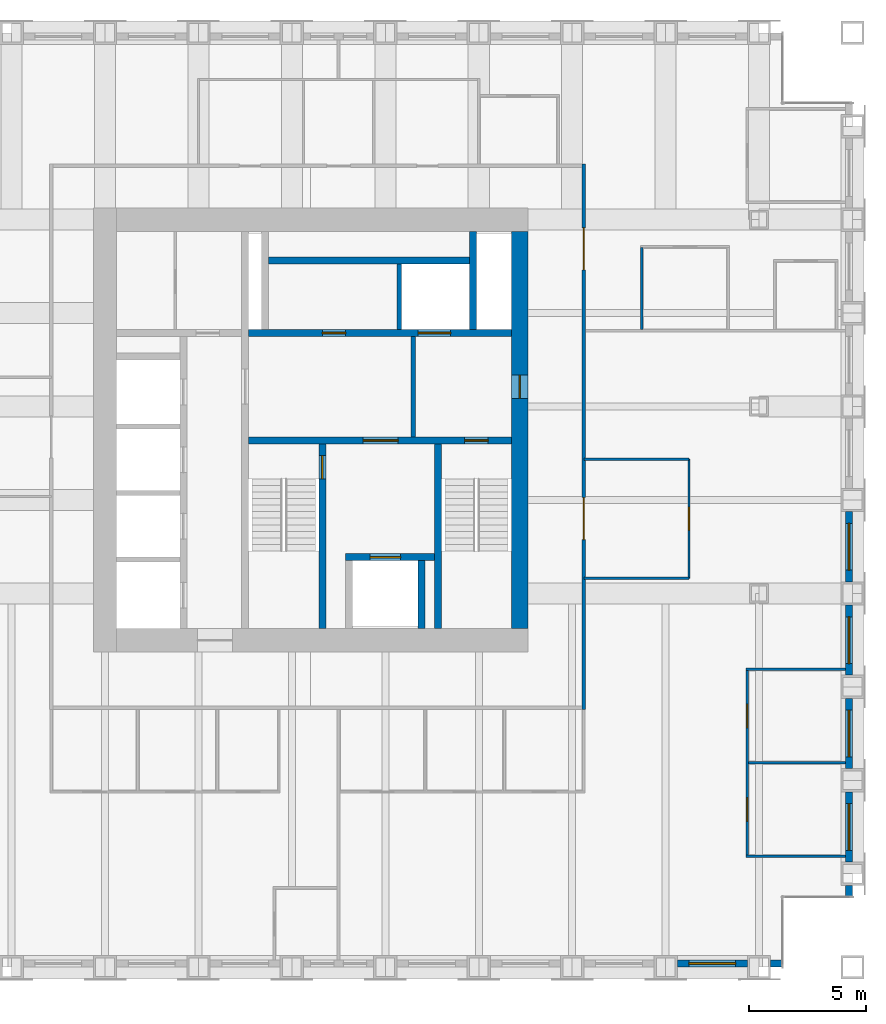
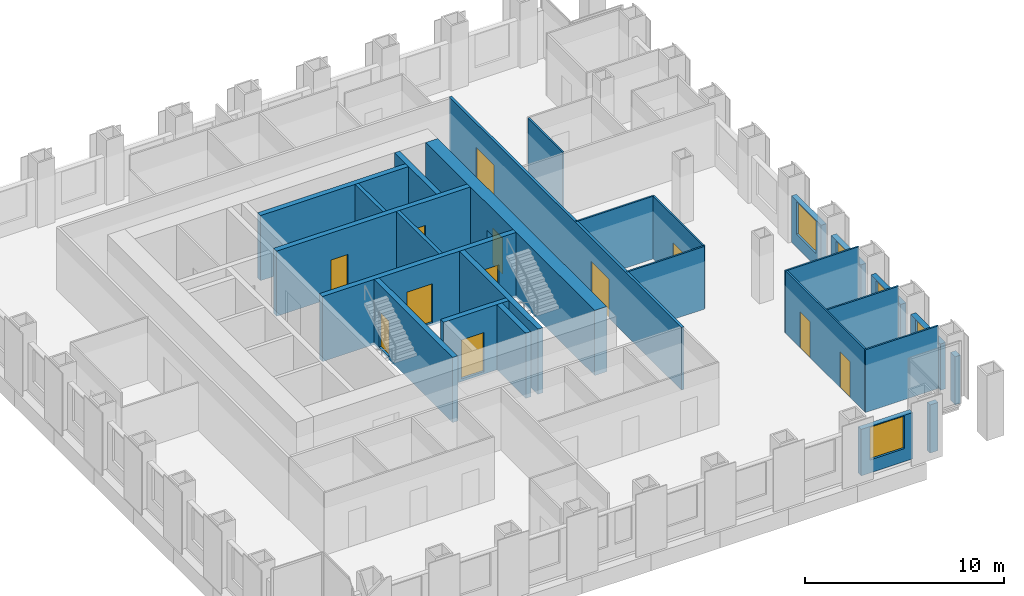
# One storey, part 9 of 13: 27 walls, 12 doors, 5 windows, 17 openings.
"""IFC4 building model written with IfcOpenShell, lengths in metres."""

from ifc_helpers import new_model, si_unit, direction, frame, frame_2d, origin, place, context, subcontext, project, spatial, rectangle, extrude, material, layer, layer_set, type_object, element, fill, save


model = new_model("IFC4")

# Units and contexts
model_context = context("Model", 3, precision=1e-05, world=origin(), true_north=direction((0.0, 1.0)))
body_context = subcontext(model_context, "Body", "Model", "MODEL_VIEW")
ifc_project = project(units=[si_unit("LENGTHUNIT", "METRE"), si_unit("AREAUNIT", "SQUARE_METRE"), si_unit("VOLUMEUNIT", "CUBIC_METRE"), si_unit("PLANEANGLEUNIT", "RADIAN"), si_unit("MASSUNIT", "GRAM", prefix="KILO")], contexts=[model_context])

# Site, building, storey
site_placement = place(None, origin())
site = spatial("IfcSite", under=ifc_project, at=site_placement, CompositionType="ELEMENT")
building_placement = place(site_placement, origin())
building = spatial("IfcBuilding", under=site, at=building_placement, Name="Rimbunsela Tower", CompositionType="ELEMENT")
storey_placement = place(building_placement, frame((0.0, 0.0, 258.199951171875)))
storey = spatial("IfcBuildingStorey", under=building, at=storey_placement, Name="L62", CompositionType="ELEMENT", Elevation=258.199951171875)

# Wall, openings, doors
ifc_material_1 = material(Name="Concrete fc' 80 MPa", Category="concrete")
ifc_layer_1 = layer(ifc_material_1, 0.300048828125)
ifc_layer_set_1 = layer_set([ifc_layer_1], Name="Core internal wall 300")
wall_type_1 = type_object("IfcWallType", Name="Core internal wall 300", PredefinedType="SHEAR", material=ifc_layer_set_1)
wall_1_placement = place(storey_placement, frame((24.14990234375, 26.550048828125, -0.14990234375), z_axis=(0.0, 0.0, 1.0), x_axis=(1.0, 0.0, 0.0)))
wall_1 = element("IfcWall", 1, at=wall_1_placement, inside=storey, type_object=wall_type_1, Name="Core wall lobby south", PredefinedType="SHEAR", context=body_context, shape_type="SweptSolid", body=[
    extrude(rectangle(XDim=11.25, YDim=0.300048828125, at=frame_2d((5.625, 0.0))), origin(), (0.0, 0.0, 1.0), 4.0),
])
opening_1_placement = place(wall_1_placement, frame((9.25, 0.0, 0.14990234375)))
opening_1 = element("IfcOpeningElement", 2, at=opening_1_placement, cuts=wall_1, Name="Opening D01", PredefinedType="OPENING", context=body_context, shape_type="SweptSolid", body=[
    extrude(rectangle(XDim=1.0, YDim=2.199951171875, at=frame_2d((0.5, 1.10009765625))), frame((0.0, 0.159912109375, 0.0), z_axis=(0.0, -1.0, 0.0), x_axis=(1.0, 0.0, 0.0)), (0.0, 0.0, 1.0), 0.320068359375),
])
opening_2_placement = place(wall_1_placement, frame((4.89990234375, 0.0, 0.14990234375)))
opening_2 = element("IfcOpeningElement", 3, at=opening_2_placement, cuts=wall_1, Name="Opening D03", PredefinedType="OPENING", context=body_context, shape_type="SweptSolid", body=[
    extrude(rectangle(XDim=1.5, YDim=2.39990234375, at=frame_2d((0.75, 1.199951171875))), frame((0.0, 0.159912109375, 0.0), z_axis=(0.0, -1.0, 0.0), x_axis=(1.0, 0.0, 0.0)), (0.0, 0.0, 1.0), 0.320068359375),
])
ifc_material_2 = material(Name="Steel door, fire rated", Category="steel")
door_type_1 = type_object("IfcDoorType", Name="Core lobby door 1500", OperationType="DOUBLE_DOOR_DOUBLE_SWING", PredefinedType="DOOR", material=ifc_material_2)
door_1_placement = place(opening_2_placement, origin())
door_1 = element("IfcDoor", 4, at=door_1_placement, inside=storey, type_object=door_type_1, Name="Firefighting lobby door", OperationType="DOUBLE_DOOR_DOUBLE_SWING", OverallHeight=2.39990234375, OverallWidth=1.5, PredefinedType="DOOR", context=body_context, shape_type="SweptSolid", body=[
    extrude(rectangle(XDim=1.5, YDim=2.39990234375, at=frame_2d((0.75, 1.199951171875))), frame((0.0, 0.02490234375, 0.0), z_axis=(0.0, -1.0, 0.0), x_axis=(1.0, 0.0, 0.0)), (0.0, 0.0, 1.0), 0.050048828125),
])
fill(opening_2, door_1)
ifc_material_3 = material(Name="Steel door, fire rated", Category="steel")
door_type_2 = type_object("IfcDoorType", Name="Stair door 1000", OperationType="SINGLE_SWING_RIGHT", PredefinedType="DOOR", material=ifc_material_3)
door_2_placement = place(opening_1_placement, frame((1.0, 0.0, 0.0), z_axis=(0.0, 0.0, 1.0), x_axis=(-1.0, 0.0, 0.0)))
door_2 = element("IfcDoor", 5, at=door_2_placement, inside=storey, type_object=door_type_2, Name="Stair B door", OperationType="SINGLE_SWING_RIGHT", OverallHeight=2.199951171875, OverallWidth=1.0, PredefinedType="DOOR", context=body_context, shape_type="SweptSolid", body=[
    extrude(rectangle(XDim=1.0, YDim=2.199951171875, at=frame_2d((0.5, 1.10009765625))), frame((0.0, 0.02490234375, 0.0), z_axis=(0.0, -1.0, 0.0), x_axis=(1.0, 0.0, 0.0)), (0.0, 0.0, 1.0), 0.050048828125),
])
fill(opening_1, door_2)

# Wall, opening, door
wall_2_placement = place(storey_placement, frame((27.300048828125, 18.5, -0.14990234375), z_axis=(0.0, 0.0, 1.0), x_axis=(0.0, 1.0, 0.0)))
wall_2 = element("IfcWall", 6, at=wall_2_placement, inside=storey, type_object=wall_type_1, Name="Stair A enclosure", PredefinedType="SHEAR", context=body_context, shape_type="SweptSolid", body=[
    extrude(rectangle(XDim=7.89990234375, YDim=0.300048828125, at=frame_2d((3.949951171875, 0.0))), origin(), (0.0, 0.0, 1.0), 4.0),
])
opening_3_placement = place(wall_2_placement, frame((6.39990234375, 0.0, 0.14990234375)))
opening_3 = element("IfcOpeningElement", 7, at=opening_3_placement, cuts=wall_2, Name="Opening D01", PredefinedType="OPENING", context=body_context, shape_type="SweptSolid", body=[
    extrude(rectangle(XDim=1.0, YDim=2.199951171875, at=frame_2d((0.5, 1.10009765625))), frame((0.0, 0.159912109375, 0.0), z_axis=(0.0, -1.0, 0.0), x_axis=(1.0, 0.0, 0.0)), (0.0, 0.0, 1.0), 0.320068359375),
])
door_3_placement = place(opening_3_placement, origin())
door_3 = element("IfcDoor", 8, at=door_3_placement, inside=storey, type_object=door_type_2, Name="Stair A door", OperationType="SINGLE_SWING_RIGHT", OverallHeight=2.199951171875, OverallWidth=1.0, PredefinedType="DOOR", context=body_context, shape_type="SweptSolid", body=[
    extrude(rectangle(XDim=1.0, YDim=2.199951171875, at=frame_2d((0.5, 1.10009765625))), frame((0.0, 0.02490234375, 0.0), z_axis=(0.0, -1.0, 0.0), x_axis=(1.0, 0.0, 0.0)), (0.0, 0.0, 1.0), 0.050048828125),
])
fill(opening_3, door_3)

# Walls
wall_3_placement = place(storey_placement, frame((32.25, 18.5, -0.14990234375), z_axis=(0.0, 0.0, 1.0), x_axis=(0.0, 1.0, 0.0)))
element("IfcWall", 9, at=wall_3_placement, inside=storey, type_object=wall_type_1, Name="Stair B enclosure", PredefinedType="SHEAR", context=body_context, shape_type="SweptSolid", body=[
    extrude(rectangle(XDim=7.89990234375, YDim=0.300048828125, at=frame_2d((3.949951171875, 0.0))), origin(), (0.0, 0.0, 1.0), 4.0),
])
wall_4_placement = place(storey_placement, frame((31.550048828125, 18.5, -0.14990234375), z_axis=(0.0, 0.0, 1.0), x_axis=(0.0, 1.0, 0.0)))
element("IfcWall", 10, at=wall_4_placement, inside=storey, type_object=wall_type_1, Name="Firefighting lift shaft east", PredefinedType="SHEAR", context=body_context, shape_type="SweptSolid", body=[
    extrude(rectangle(XDim=2.89990234375, YDim=0.300048828125, at=frame_2d((1.449951171875, 0.0))), origin(), (0.0, 0.0, 1.0), 4.0),
])

# Wall, opening, door
wall_5_placement = place(storey_placement, frame((28.300048828125, 21.550048828125, -0.14990234375), z_axis=(0.0, 0.0, 1.0), x_axis=(1.0, 0.0, 0.0)))
wall_5 = element("IfcWall", 11, at=wall_5_placement, inside=storey, type_object=wall_type_1, Name="Firefighting lift shaft front", PredefinedType="SHEAR", context=body_context, shape_type="SweptSolid", body=[
    extrude(rectangle(XDim=3.800048828125, YDim=0.300048828125, at=frame_2d((1.89990234375, 0.0))), origin(), (0.0, 0.0, 1.0), 4.0),
])
opening_4_placement = place(wall_5_placement, frame((1.050048828125, 0.0, 0.14990234375)))
opening_4 = element("IfcOpeningElement", 12, at=opening_4_placement, cuts=wall_5, Name="Opening LD2", PredefinedType="OPENING", context=body_context, shape_type="SweptSolid", body=[
    extrude(rectangle(XDim=1.300048828125, YDim=2.39990234375, at=frame_2d((0.64990234375, 1.199951171875))), frame((0.0, 0.159912109375, 0.0), z_axis=(0.0, -1.0, 0.0), x_axis=(1.0, 0.0, 0.0)), (0.0, 0.0, 1.0), 0.320068359375),
])
ifc_material_4 = material(Name="Steel door, fire rated", Category="steel")
door_type_3 = type_object("IfcDoorType", Name="Lift landing door 1300", OperationType="DOUBLE_DOOR_SLIDING", PredefinedType="DOOR", material=ifc_material_4)
door_4_placement = place(opening_4_placement, origin())
door_4 = element("IfcDoor", 13, at=door_4_placement, inside=storey, type_object=door_type_3, Name="Lift landing door FL1", OperationType="DOUBLE_DOOR_SLIDING", OverallHeight=2.39990234375, OverallWidth=1.300048828125, PredefinedType="DOOR", context=body_context, shape_type="SweptSolid", body=[
    extrude(rectangle(XDim=1.300048828125, YDim=2.39990234375, at=frame_2d((0.64990234375, 1.199951171875))), frame((0.0, 0.02490234375, 0.0), z_axis=(0.0, -1.0, 0.0), x_axis=(1.0, 0.0, 0.0)), (0.0, 0.0, 1.0), 0.050048828125),
])
fill(opening_4, door_4)

# Wall, openings, doors
wall_6_placement = place(storey_placement, frame((24.14990234375, 31.14990234375, -0.14990234375), z_axis=(0.0, 0.0, 1.0), x_axis=(1.0, 0.0, 0.0)))
wall_6 = element("IfcWall", 14, at=wall_6_placement, inside=storey, type_object=wall_type_1, Name="Lift shaft front north", PredefinedType="SHEAR", context=body_context, shape_type="SweptSolid", body=[
    extrude(rectangle(XDim=11.25, YDim=0.300048828125, at=frame_2d((5.625, 0.0))), origin(), (0.0, 0.0, 1.0), 4.0),
])
opening_5_placement = place(wall_6_placement, frame((3.14990234375, 0.0, 0.14990234375)))
opening_5 = element("IfcOpeningElement", 15, at=opening_5_placement, cuts=wall_6, Name="Opening D19", PredefinedType="OPENING", context=body_context, shape_type="SweptSolid", body=[
    extrude(rectangle(XDim=1.0, YDim=2.199951171875, at=frame_2d((0.5, 1.10009765625))), frame((0.0, 0.159912109375, 0.0), z_axis=(0.0, -1.0, 0.0), x_axis=(1.0, 0.0, 0.0)), (0.0, 0.0, 1.0), 0.320068359375),
])
opening_6_placement = place(wall_6_placement, frame((7.25, 0.0, 0.14990234375)))
opening_6 = element("IfcOpeningElement", 16, at=opening_6_placement, cuts=wall_6, Name="Opening LD3", PredefinedType="OPENING", context=body_context, shape_type="SweptSolid", body=[
    extrude(rectangle(XDim=1.39990234375, YDim=2.39990234375, at=frame_2d((0.699951171875, 1.199951171875))), frame((0.0, 0.159912109375, 0.0), z_axis=(0.0, -1.0, 0.0), x_axis=(1.0, 0.0, 0.0)), (0.0, 0.0, 1.0), 0.320068359375),
])
ifc_material_5 = material(Name="Steel door, fire rated", Category="steel")
door_type_4 = type_object("IfcDoorType", Name="Lift landing door 1400", OperationType="DOUBLE_DOOR_SLIDING", PredefinedType="DOOR", material=ifc_material_5)
door_5_placement = place(opening_6_placement, origin())
door_5 = element("IfcDoor", 17, at=door_5_placement, inside=storey, type_object=door_type_4, Name="Lift landing door FL2", OperationType="DOUBLE_DOOR_SLIDING", OverallHeight=2.39990234375, OverallWidth=1.39990234375, PredefinedType="DOOR", context=body_context, shape_type="SweptSolid", body=[
    extrude(rectangle(XDim=1.39990234375, YDim=2.39990234375, at=frame_2d((0.699951171875, 1.199951171875))), frame((0.0, 0.02490234375, 0.0), z_axis=(0.0, -1.0, 0.0), x_axis=(1.0, 0.0, 0.0)), (0.0, 0.0, 1.0), 0.050048828125),
])
fill(opening_6, door_5)
ifc_material_6 = material(Name="Steel door, fire rated", Category="steel")
door_type_5 = type_object("IfcDoorType", Name="Service door 1000 fire rated", OperationType="SINGLE_SWING_LEFT", PredefinedType="DOOR", material=ifc_material_6)
door_6_placement = place(opening_5_placement, origin())
door_6 = element("IfcDoor", 18, at=door_6_placement, inside=storey, type_object=door_type_5, Name="Equipment store door", OperationType="SINGLE_SWING_LEFT", OverallHeight=2.199951171875, OverallWidth=1.0, PredefinedType="DOOR", context=body_context, shape_type="SweptSolid", body=[
    extrude(rectangle(XDim=1.0, YDim=2.199951171875, at=frame_2d((0.5, 1.10009765625))), frame((0.0, 0.02490234375, 0.0), z_axis=(0.0, -1.0, 0.0), x_axis=(1.0, 0.0, 0.0)), (0.0, 0.0, 1.0), 0.050048828125),
])
fill(opening_5, door_6)

# Walls
wall_7_placement = place(storey_placement, frame((33.75, 31.300048828125, -0.14990234375), z_axis=(0.0, 0.0, 1.0), x_axis=(0.0, 1.0, 0.0)))
element("IfcWall", 19, at=wall_7_placement, inside=storey, type_object=wall_type_1, Name="Riser wall", PredefinedType="SHEAR", context=body_context, shape_type="SweptSolid", body=[
    extrude(rectangle(XDim=4.199951171875, YDim=0.300048828125, at=frame_2d((2.10009765625, 0.0))), origin(), (0.0, 0.0, 1.0), 4.0),
])
wall_8_placement = place(storey_placement, frame((25.0, 34.25, -0.14990234375), z_axis=(0.0, 0.0, 1.0), x_axis=(1.0, 0.0, 0.0)))
element("IfcWall", 20, at=wall_8_placement, inside=storey, type_object=wall_type_1, Name="Lift shaft rear north", PredefinedType="SHEAR", context=body_context, shape_type="SweptSolid", body=[
    extrude(rectangle(XDim=8.60009765625, YDim=0.300048828125, at=frame_2d((4.300048828125, 0.0))), origin(), (0.0, 0.0, 1.0), 4.0),
])

# Wall, opening, door
ifc_material_7 = material(Name="Concrete fc' 80 MPa", Category="concrete")
ifc_layer_2 = layer(ifc_material_7, 0.699951171875)
ifc_layer_set_2 = layer_set([ifc_layer_2], Name="Core wall 700 east")
wall_type_2 = type_object("IfcWallType", Name="Core wall 700 east", PredefinedType="SHEAR", material=ifc_layer_set_2)
wall_9_placement = place(storey_placement, frame((35.75, 18.5, -0.14990234375), z_axis=(0.0, 0.0, 1.0), x_axis=(0.0, 1.0, 0.0)))
wall_9 = element("IfcWall", 21, at=wall_9_placement, inside=storey, type_object=wall_type_2, Name="Core wall east", PredefinedType="SHEAR", context=body_context, shape_type="SweptSolid", body=[
    extrude(rectangle(XDim=17.0, YDim=0.699951171875, at=frame_2d((8.5, 0.0))), origin(), (0.0, 0.0, 1.0), 4.0),
])
opening_7_placement = place(wall_9_placement, frame((9.85009765625, 0.0, 0.14990234375)))
opening_7 = element("IfcOpeningElement", 22, at=opening_7_placement, cuts=wall_9, Name="Opening D01", PredefinedType="OPENING", context=body_context, shape_type="SweptSolid", body=[
    extrude(rectangle(XDim=1.0, YDim=2.199951171875, at=frame_2d((0.5, 1.10009765625))), frame((0.0, 0.35986328125, 0.0), z_axis=(0.0, -1.0, 0.0), x_axis=(1.0, 0.0, 0.0)), (0.0, 0.0, 1.0), 0.719970703125),
])
door_7_placement = place(opening_7_placement, origin())
door_7 = element("IfcDoor", 23, at=door_7_placement, inside=storey, type_object=door_type_2, Name="Firefighting lobby 2 door", OperationType="SINGLE_SWING_RIGHT", OverallHeight=2.199951171875, OverallWidth=1.0, PredefinedType="DOOR", context=body_context, shape_type="SweptSolid", body=[
    extrude(rectangle(XDim=1.0, YDim=2.199951171875, at=frame_2d((0.5, 1.10009765625))), frame((0.0, 0.02490234375, 0.0), z_axis=(0.0, -1.0, 0.0), x_axis=(1.0, 0.0, 0.0)), (0.0, 0.0, 1.0), 0.050048828125),
])
fill(opening_7, door_7)

# Walls
ifc_material_8 = material(Name="Concrete blockwork", Category="masonry")
ifc_layer_3 = layer(ifc_material_8, 0.199951171875)
ifc_layer_set_3 = layer_set([ifc_layer_3], Name="Lift shaft wall 200")
wall_type_3 = type_object("IfcWallType", Name="Lift shaft wall 200", PredefinedType="SOLIDWALL", material=ifc_layer_set_3)
wall_10_placement = place(storey_placement, frame((30.60009765625, 31.300048828125, -0.14990234375), z_axis=(0.0, 0.0, 1.0), x_axis=(0.0, 1.0, 0.0)))
element("IfcWall", 24, at=wall_10_placement, inside=storey, type_object=wall_type_3, Name="Lift shaft separation", PredefinedType="SOLIDWALL", context=body_context, shape_type="SweptSolid", body=[
    extrude(rectangle(XDim=2.800048828125, YDim=0.199951171875, at=frame_2d((1.39990234375, 0.0))), origin(), (0.0, 0.0, 1.0), 4.0),
])
wall_11_placement = place(storey_placement, frame((31.199951171875, 26.699951171875, 0.0), z_axis=(0.0, 0.0, 1.0), x_axis=(0.0, 1.0, 0.0)))
element("IfcWall", 25, at=wall_11_placement, inside=storey, type_object=wall_type_3, Name="Firefighting lobby 2 wall", PredefinedType="SOLIDWALL", context=body_context, shape_type="SweptSolid", body=[
    extrude(rectangle(XDim=4.300048828125, YDim=0.199951171875, at=frame_2d((2.14990234375, 0.0))), origin(), (0.0, 0.0, 1.0), 3.85009765625),
])
ifc_material_9 = material(Name="Gypsum board on steel studs", Category="steel")
ifc_layer_4 = layer(ifc_material_9, 0.10009765625)
ifc_layer_set_4 = layer_set([ifc_layer_4], Name="Office partition 100")
wall_type_4 = type_object("IfcWallType", Name="Office partition 100", PredefinedType="PARTITIONING", material=ifc_layer_set_4)
wall_12_placement = place(storey_placement, frame((45.449951171875, 8.75, 0.0), z_axis=(0.0, 0.0, 1.0), x_axis=(1.0, 0.0, 0.0)))
element("IfcWall", 26, at=wall_12_placement, inside=storey, type_object=wall_type_4, Name="Office partition", PredefinedType="PARTITIONING", context=body_context, shape_type="SweptSolid", body=[
    extrude(rectangle(XDim=4.25, YDim=0.10009765625, at=frame_2d((2.125, 0.0))), origin(), (0.0, 0.0, 1.0), 3.85009765625),
])
wall_13_placement = place(storey_placement, frame((45.550048828125, 12.75, 0.0), z_axis=(0.0, 0.0, 1.0), x_axis=(1.0, 0.0, 0.0)))
element("IfcWall", 27, at=wall_13_placement, inside=storey, type_object=wall_type_4, Name="Office partition", PredefinedType="PARTITIONING", context=body_context, shape_type="SweptSolid", body=[
    extrude(rectangle(XDim=4.14990234375, YDim=0.10009765625, at=frame_2d((2.074951171875, 0.0))), origin(), (0.0, 0.0, 1.0), 3.85009765625),
])
wall_14_placement = place(storey_placement, frame((45.449951171875, 16.75, 0.0), z_axis=(0.0, 0.0, 1.0), x_axis=(1.0, 0.0, 0.0)))
element("IfcWall", 28, at=wall_14_placement, inside=storey, type_object=wall_type_4, Name="Office partition", PredefinedType="PARTITIONING", context=body_context, shape_type="SweptSolid", body=[
    extrude(rectangle(XDim=4.25, YDim=0.10009765625, at=frame_2d((2.125, 0.0))), origin(), (0.0, 0.0, 1.0), 3.85009765625),
])
wall_15_placement = place(storey_placement, frame((40.97509765625, 31.31005859375, 0.0), z_axis=(0.0, 0.0, 1.0), x_axis=(0.0, 1.0, 0.0)))
element("IfcWall", 29, at=wall_15_placement, inside=storey, type_object=wall_type_4, Name="Office partition", PredefinedType="PARTITIONING", context=body_context, shape_type="SweptSolid", body=[
    extrude(rectangle(XDim=3.489990234375, YDim=0.10009765625, at=frame_2d((1.7451171875, 0.0))), origin(), (0.0, 0.0, 1.0), 3.85009765625),
])

# Wall, openings, doors
wall_16_placement = place(storey_placement, frame((45.5, 8.800048828125, 0.0), z_axis=(0.0, 0.0, 1.0), x_axis=(0.0, 1.0, 0.0)))
wall_16 = element("IfcWall", 30, at=wall_16_placement, inside=storey, type_object=wall_type_4, Name="Office partition", PredefinedType="PARTITIONING", context=body_context, shape_type="SweptSolid", body=[
    extrude(rectangle(XDim=7.89990234375, YDim=0.10009765625, at=frame_2d((3.949951171875, 0.0))), origin(), (0.0, 0.0, 1.0), 3.85009765625),
])
opening_8_placement = place(wall_16_placement, frame((1.449951171875, 0.0, 0.0)))
opening_8 = element("IfcOpeningElement", 31, at=opening_8_placement, cuts=wall_16, Name="Opening D16", PredefinedType="OPENING", context=body_context, shape_type="SweptSolid", body=[
    extrude(rectangle(XDim=1.0, YDim=2.199951171875, at=frame_2d((0.5, 1.10009765625))), frame((0.0, 0.06005859375, 0.0), z_axis=(0.0, -1.0, 0.0), x_axis=(1.0, 0.0, 0.0)), (0.0, 0.0, 1.0), 0.1201171875),
])
opening_9_placement = place(wall_16_placement, frame((5.449951171875, 0.0, 0.0)))
opening_9 = element("IfcOpeningElement", 32, at=opening_9_placement, cuts=wall_16, Name="Opening D16", PredefinedType="OPENING", context=body_context, shape_type="SweptSolid", body=[
    extrude(rectangle(XDim=1.0, YDim=2.199951171875, at=frame_2d((0.5, 1.10009765625))), frame((0.0, 0.06005859375, 0.0), z_axis=(0.0, -1.0, 0.0), x_axis=(1.0, 0.0, 0.0)), (0.0, 0.0, 1.0), 0.1201171875),
])
ifc_material_10 = material(Name="Timber door", Category="wood")
door_type_6 = type_object("IfcDoorType", Name="Office door 1000", OperationType="SINGLE_SWING_LEFT", PredefinedType="DOOR", material=ifc_material_10)
door_8_placement = place(opening_8_placement, origin())
door_8 = element("IfcDoor", 33, at=door_8_placement, inside=storey, type_object=door_type_6, Name="Office door", OperationType="SINGLE_SWING_LEFT", OverallHeight=2.199951171875, OverallWidth=1.0, PredefinedType="DOOR", context=body_context, shape_type="SweptSolid", body=[
    extrude(rectangle(XDim=1.0, YDim=2.199951171875, at=frame_2d((0.5, 1.10009765625))), frame((0.0, 0.02490234375, 0.0), z_axis=(0.0, -1.0, 0.0), x_axis=(1.0, 0.0, 0.0)), (0.0, 0.0, 1.0), 0.050048828125),
])
fill(opening_8, door_8)
door_9_placement = place(opening_9_placement, origin())
door_9 = element("IfcDoor", 34, at=door_9_placement, inside=storey, type_object=door_type_6, Name="Office door", OperationType="SINGLE_SWING_LEFT", OverallHeight=2.199951171875, OverallWidth=1.0, PredefinedType="DOOR", context=body_context, shape_type="SweptSolid", body=[
    extrude(rectangle(XDim=1.0, YDim=2.199951171875, at=frame_2d((0.5, 1.10009765625))), frame((0.0, 0.02490234375, 0.0), z_axis=(0.0, -1.0, 0.0), x_axis=(1.0, 0.0, 0.0)), (0.0, 0.0, 1.0), 0.050048828125),
])
fill(opening_9, door_9)

# Wall
wall_17_placement = place(storey_placement, frame((38.5, 20.64990234375, 0.0), z_axis=(0.0, 0.0, 1.0), x_axis=(1.0, 0.0, 0.0)))
element("IfcWall", 35, at=wall_17_placement, inside=storey, type_object=wall_type_4, Name="Office partition", PredefinedType="PARTITIONING", context=body_context, shape_type="SweptSolid", body=[
    extrude(rectangle(XDim=4.5, YDim=0.10009765625, at=frame_2d((2.25, 0.0))), origin(), (0.0, 0.0, 1.0), 3.85009765625),
])

# Wall, opening, door
wall_18_placement = place(storey_placement, frame((43.0, 20.64990234375, 0.0), z_axis=(0.0, 0.0, 1.0), x_axis=(0.0, 1.0, 0.0)))
wall_18 = element("IfcWall", 36, at=wall_18_placement, inside=storey, type_object=wall_type_4, Name="Office partition", PredefinedType="PARTITIONING", context=body_context, shape_type="SweptSolid", body=[
    extrude(rectangle(XDim=5.10009765625, YDim=0.10009765625, at=frame_2d((2.550048828125, 0.0))), origin(), (0.0, 0.0, 1.0), 3.85009765625),
])
opening_10_placement = place(wall_18_placement, frame((2.050048828125, 0.0, 0.0)))
opening_10 = element("IfcOpeningElement", 37, at=opening_10_placement, cuts=wall_18, Name="Opening D17", PredefinedType="OPENING", context=body_context, shape_type="SweptSolid", body=[
    extrude(rectangle(XDim=1.0, YDim=2.199951171875, at=frame_2d((0.5, 1.10009765625))), frame((0.0, 0.06005859375, 0.0), z_axis=(0.0, -1.0, 0.0), x_axis=(1.0, 0.0, 0.0)), (0.0, 0.0, 1.0), 0.1201171875),
])
ifc_material_11 = material(Name="Glazed aluminium door", Category="aluminium")
door_type_7 = type_object("IfcDoorType", Name="Meeting room door 1000 glazed", OperationType="SINGLE_SWING_RIGHT", PredefinedType="DOOR", material=ifc_material_11)
door_10_placement = place(opening_10_placement, origin())
door_10 = element("IfcDoor", 38, at=door_10_placement, inside=storey, type_object=door_type_7, Name="Reception door", OperationType="SINGLE_SWING_RIGHT", OverallHeight=2.199951171875, OverallWidth=1.0, PredefinedType="DOOR", context=body_context, shape_type="SweptSolid", body=[
    extrude(rectangle(XDim=1.0, YDim=2.199951171875, at=frame_2d((0.5, 1.10009765625))), frame((0.0, 0.02490234375, 0.0), z_axis=(0.0, -1.0, 0.0), x_axis=(1.0, 0.0, 0.0)), (0.0, 0.0, 1.0), 0.050048828125),
])
fill(opening_10, door_10)

# Wall
wall_19_placement = place(storey_placement, frame((43.0, 25.75, 0.0), z_axis=(0.0, 0.0, 1.0), x_axis=(-1.0, 0.0, 0.0)))
element("IfcWall", 39, at=wall_19_placement, inside=storey, type_object=wall_type_4, Name="Office partition", PredefinedType="PARTITIONING", context=body_context, shape_type="SweptSolid", body=[
    extrude(rectangle(XDim=4.5, YDim=0.10009765625, at=frame_2d((2.25, 0.0))), origin(), (0.0, 0.0, 1.0), 3.85009765625),
])

# Wall, opening, window
ifc_material_12 = material(Name="Precast concrete fc' 35 MPa", Category="concrete")
ifc_layer_5 = layer(ifc_material_12, 0.300048828125)
ifc_layer_set_5 = layer_set([ifc_layer_5], Name="Precast concrete fc' 35 MPa")
wall_type_5 = type_object("IfcWallType", Name="Precast facade panel 300", PredefinedType="ELEMENTEDWALL", material=ifc_layer_set_5)
wall_20_placement = place(storey_placement, frame((42.5, 4.14990234375, 0.0), z_axis=(0.0, 0.0, 1.0), x_axis=(1.0, 0.0, 0.0)))
wall_20 = element("IfcWall", 40, at=wall_20_placement, inside=storey, type_object=wall_type_5, Name="Facade panel S L62", PredefinedType="ELEMENTEDWALL", context=body_context, shape_type="SweptSolid", body=[
    extrude(rectangle(XDim=3.0, YDim=0.300048828125, at=frame_2d((1.5, 0.0))), origin(), (0.0, 0.0, 1.0), 2.85009765625),
])
opening_11_placement = place(wall_20_placement, frame((0.5, 0.0, 0.800048828125)))
opening_11 = element("IfcOpeningElement", 41, at=opening_11_placement, cuts=wall_20, Name="Opening W1", PredefinedType="OPENING", context=body_context, shape_type="SweptSolid", body=[
    extrude(rectangle(XDim=2.0, YDim=2.0, at=frame_2d((1.0, 1.0))), frame((0.0, 0.159912109375, 0.0), z_axis=(0.0, -1.0, 0.0), x_axis=(1.0, 0.0, 0.0)), (0.0, 0.0, 1.0), 0.320068359375),
])
ifc_material_13 = material(Name="Clear glass in aluminium frame", Category="aluminium")
window_type = type_object("IfcWindowType", Name="Window W1 2000x2000", PartitioningType="DOUBLE_PANEL_VERTICAL", PredefinedType="WINDOW", material=ifc_material_13)
window_1_placement = place(opening_11_placement, origin())
window_1 = element("IfcWindow", 42, at=window_1_placement, inside=storey, type_object=window_type, Name="Window L62", OverallHeight=2.0, OverallWidth=2.0, PartitioningType="SINGLE_PANEL", PredefinedType="WINDOW", context=body_context, shape_type="SweptSolid", body=[
    extrude(rectangle(XDim=2.0, YDim=2.0, at=frame_2d((1.0, 1.0))), frame((0.0, 0.030029296875, 0.0), z_axis=(0.0, -1.0, 0.0), x_axis=(1.0, 0.0, 0.0)), (0.0, 0.0, 1.0), 0.06005859375),
])
fill(opening_11, window_1)

# Walls
for number, where, z_axis, x_axis, name in (
    (43, (46.5, 4.14990234375, 0.0), (0.0, 0.0, 1.0), (1.0, 0.0, 0.0), "Facade panel S L62"),
    (44, (49.85009765625, 7.030029296875, 0.0), (0.0, 0.0, 1.0), (0.0, 1.0, 0.0), "Facade panel E L62"),
):
    element("IfcWall", number, at=place(storey_placement, frame(where, z_axis=z_axis, x_axis=x_axis)), inside=storey, type_object=wall_type_5, Name=name, PredefinedType="ELEMENTEDWALL", context=body_context, shape_type="SweptSolid", body=[
        extrude(rectangle(XDim=0.469970703125, YDim=0.300048828125, at=frame_2d((0.23486328125, 0.0))), origin(), (0.0, 0.0, 1.0), 2.949951171875),
    ])

# Wall, opening, window
wall_21_placement = place(storey_placement, frame((49.85009765625, 8.5, 0.0), z_axis=(0.0, 0.0, 1.0), x_axis=(0.0, 1.0, 0.0)))
wall_21 = element("IfcWall", 45, at=wall_21_placement, inside=storey, type_object=wall_type_5, Name="Facade panel E L62", PredefinedType="ELEMENTEDWALL", context=body_context, shape_type="SweptSolid", body=[
    extrude(rectangle(XDim=3.0, YDim=0.300048828125, at=frame_2d((1.5, 0.0))), origin(), (0.0, 0.0, 1.0), 2.85009765625),
])
opening_12_placement = place(wall_21_placement, frame((0.5, 0.0, 0.800048828125)))
opening_12 = element("IfcOpeningElement", 46, at=opening_12_placement, cuts=wall_21, Name="Opening W1", PredefinedType="OPENING", context=body_context, shape_type="SweptSolid", body=[
    extrude(rectangle(XDim=2.0, YDim=2.0, at=frame_2d((1.0, 1.0))), frame((0.0, 0.159912109375, 0.0), z_axis=(0.0, -1.0, 0.0), x_axis=(1.0, 0.0, 0.0)), (0.0, 0.0, 1.0), 0.320068359375),
])
window_2_placement = place(opening_12_placement, origin())
window_2 = element("IfcWindow", 47, at=window_2_placement, inside=storey, type_object=window_type, Name="Window L62", OverallHeight=2.0, OverallWidth=2.0, PartitioningType="SINGLE_PANEL", PredefinedType="WINDOW", context=body_context, shape_type="SweptSolid", body=[
    extrude(rectangle(XDim=2.0, YDim=2.0, at=frame_2d((1.0, 1.0))), frame((0.0, 0.030029296875, 0.0), z_axis=(0.0, -1.0, 0.0), x_axis=(1.0, 0.0, 0.0)), (0.0, 0.0, 1.0), 0.06005859375),
])
fill(opening_12, window_2)

wall_22_placement = place(storey_placement, frame((49.85009765625, 12.5, 0.0), z_axis=(0.0, 0.0, 1.0), x_axis=(0.0, 1.0, 0.0)))
wall_22 = element("IfcWall", 48, at=wall_22_placement, inside=storey, type_object=wall_type_5, Name="Facade panel E L62", PredefinedType="ELEMENTEDWALL", context=body_context, shape_type="SweptSolid", body=[
    extrude(rectangle(XDim=3.0, YDim=0.300048828125, at=frame_2d((1.5, 0.0))), origin(), (0.0, 0.0, 1.0), 2.85009765625),
])
opening_13_placement = place(wall_22_placement, frame((0.5, 0.0, 0.800048828125)))
opening_13 = element("IfcOpeningElement", 49, at=opening_13_placement, cuts=wall_22, Name="Opening W1", PredefinedType="OPENING", context=body_context, shape_type="SweptSolid", body=[
    extrude(rectangle(XDim=2.0, YDim=2.0, at=frame_2d((1.0, 1.0))), frame((0.0, 0.159912109375, 0.0), z_axis=(0.0, -1.0, 0.0), x_axis=(1.0, 0.0, 0.0)), (0.0, 0.0, 1.0), 0.320068359375),
])
window_3_placement = place(opening_13_placement, origin())
window_3 = element("IfcWindow", 50, at=window_3_placement, inside=storey, type_object=window_type, Name="Window L62", OverallHeight=2.0, OverallWidth=2.0, PartitioningType="SINGLE_PANEL", PredefinedType="WINDOW", context=body_context, shape_type="SweptSolid", body=[
    extrude(rectangle(XDim=2.0, YDim=2.0, at=frame_2d((1.0, 1.0))), frame((0.0, 0.030029296875, 0.0), z_axis=(0.0, -1.0, 0.0), x_axis=(1.0, 0.0, 0.0)), (0.0, 0.0, 1.0), 0.06005859375),
])
fill(opening_13, window_3)

wall_23_placement = place(storey_placement, frame((49.85009765625, 16.5, 0.0), z_axis=(0.0, 0.0, 1.0), x_axis=(0.0, 1.0, 0.0)))
wall_23 = element("IfcWall", 51, at=wall_23_placement, inside=storey, type_object=wall_type_5, Name="Facade panel E L62", PredefinedType="ELEMENTEDWALL", context=body_context, shape_type="SweptSolid", body=[
    extrude(rectangle(XDim=3.0, YDim=0.300048828125, at=frame_2d((1.5, 0.0))), origin(), (0.0, 0.0, 1.0), 2.85009765625),
])
opening_14_placement = place(wall_23_placement, frame((0.5, 0.0, 0.800048828125)))
opening_14 = element("IfcOpeningElement", 52, at=opening_14_placement, cuts=wall_23, Name="Opening W1", PredefinedType="OPENING", context=body_context, shape_type="SweptSolid", body=[
    extrude(rectangle(XDim=2.0, YDim=2.0, at=frame_2d((1.0, 1.0))), frame((0.0, 0.159912109375, 0.0), z_axis=(0.0, -1.0, 0.0), x_axis=(1.0, 0.0, 0.0)), (0.0, 0.0, 1.0), 0.320068359375),
])
window_4_placement = place(opening_14_placement, origin())
window_4 = element("IfcWindow", 53, at=window_4_placement, inside=storey, type_object=window_type, Name="Window L62", OverallHeight=2.0, OverallWidth=2.0, PartitioningType="SINGLE_PANEL", PredefinedType="WINDOW", context=body_context, shape_type="SweptSolid", body=[
    extrude(rectangle(XDim=2.0, YDim=2.0, at=frame_2d((1.0, 1.0))), frame((0.0, 0.030029296875, 0.0), z_axis=(0.0, -1.0, 0.0), x_axis=(1.0, 0.0, 0.0)), (0.0, 0.0, 1.0), 0.06005859375),
])
fill(opening_14, window_4)

wall_24_placement = place(storey_placement, frame((49.85009765625, 20.5, 0.0), z_axis=(0.0, 0.0, 1.0), x_axis=(0.0, 1.0, 0.0)))
wall_24 = element("IfcWall", 54, at=wall_24_placement, inside=storey, type_object=wall_type_5, Name="Facade panel E L62", PredefinedType="ELEMENTEDWALL", context=body_context, shape_type="SweptSolid", body=[
    extrude(rectangle(XDim=3.0, YDim=0.300048828125, at=frame_2d((1.5, 0.0))), origin(), (0.0, 0.0, 1.0), 2.85009765625),
])
opening_15_placement = place(wall_24_placement, frame((0.5, 0.0, 0.800048828125)))
opening_15 = element("IfcOpeningElement", 55, at=opening_15_placement, cuts=wall_24, Name="Opening W1", PredefinedType="OPENING", context=body_context, shape_type="SweptSolid", body=[
    extrude(rectangle(XDim=2.0, YDim=2.0, at=frame_2d((1.0, 1.0))), frame((0.0, 0.159912109375, 0.0), z_axis=(0.0, -1.0, 0.0), x_axis=(1.0, 0.0, 0.0)), (0.0, 0.0, 1.0), 0.320068359375),
])
window_5_placement = place(opening_15_placement, origin())
window_5 = element("IfcWindow", 56, at=window_5_placement, inside=storey, type_object=window_type, Name="Window L62", OverallHeight=2.0, OverallWidth=2.0, PartitioningType="SINGLE_PANEL", PredefinedType="WINDOW", context=body_context, shape_type="SweptSolid", body=[
    extrude(rectangle(XDim=2.0, YDim=2.0, at=frame_2d((1.0, 1.0))), frame((0.0, 0.030029296875, 0.0), z_axis=(0.0, -1.0, 0.0), x_axis=(1.0, 0.0, 0.0)), (0.0, 0.0, 1.0), 0.06005859375),
])
fill(opening_15, window_5)

# Wall, openings, doors
ifc_material_14 = material(Name="Fire-rated gypsum board on steel studs, EI 60", Category="steel")
ifc_layer_6 = layer(ifc_material_14, 0.14990234375)
ifc_layer_set_6 = layer_set([ifc_layer_6], Name="Rated corridor wall 150")
wall_type_6 = type_object("IfcWallType", Name="Rated corridor wall 150", PredefinedType="PARTITIONING", material=ifc_layer_set_6)
wall_25_placement = place(storey_placement, frame((38.5, 15.02490234375, 0.0), z_axis=(0.0, 0.0, 1.0), x_axis=(0.0, 1.0, 0.0)))
wall_25 = element("IfcWall", 57, at=wall_25_placement, inside=storey, type_object=wall_type_6, Name="Corridor wall east", PredefinedType="PARTITIONING", context=body_context, shape_type="SweptSolid", body=[
    extrude(rectangle(XDim=23.35009765625, YDim=0.14990234375, at=frame_2d((11.675048828125, 0.0))), origin(), (0.0, 0.0, 1.0), 3.85009765625),
])
opening_16_placement = place(wall_25_placement, frame((7.27490234375, 0.0, 0.0)))
opening_16 = element("IfcOpeningElement", 58, at=opening_16_placement, cuts=wall_25, Name="Opening D09", PredefinedType="OPENING", context=body_context, shape_type="SweptSolid", body=[
    extrude(rectangle(XDim=1.800048828125, YDim=2.39990234375, at=frame_2d((0.89990234375, 1.199951171875))), frame((0.0, 0.0849609375, 0.0), z_axis=(0.0, -1.0, 0.0), x_axis=(1.0, 0.0, 0.0)), (0.0, 0.0, 1.0), 0.169921875),
])
opening_17_placement = place(wall_25_placement, frame((18.825927734375, 0.0, 0.0)))
opening_17 = element("IfcOpeningElement", 59, at=opening_17_placement, cuts=wall_25, Name="Opening D09", PredefinedType="OPENING", context=body_context, shape_type="SweptSolid", body=[
    extrude(rectangle(XDim=1.800048828125, YDim=2.39990234375, at=frame_2d((0.89990234375, 1.199951171875))), frame((0.0, 0.0849609375, 0.0), z_axis=(0.0, -1.0, 0.0), x_axis=(1.0, 0.0, 0.0)), (0.0, 0.0, 1.0), 0.169921875),
])
ifc_material_15 = material(Name="Glazed aluminium door, fire rated", Category="aluminium")
door_type_8 = type_object("IfcDoorType", Name="Tenancy door 1800 glazed", OperationType="DOUBLE_DOOR_DOUBLE_SWING", PredefinedType="DOOR", material=ifc_material_15)
door_11_placement = place(opening_16_placement, origin())
door_11 = element("IfcDoor", 60, at=door_11_placement, inside=storey, type_object=door_type_8, Name="Tenancy door", OperationType="DOUBLE_DOOR_DOUBLE_SWING", OverallHeight=2.39990234375, OverallWidth=1.800048828125, PredefinedType="DOOR", context=body_context, shape_type="SweptSolid", body=[
    extrude(rectangle(XDim=1.800048828125, YDim=2.39990234375, at=frame_2d((0.89990234375, 1.199951171875))), frame((0.0, 0.02490234375, 0.0), z_axis=(0.0, -1.0, 0.0), x_axis=(1.0, 0.0, 0.0)), (0.0, 0.0, 1.0), 0.050048828125),
])
fill(opening_16, door_11)
door_12_placement = place(opening_17_placement, origin())
door_12 = element("IfcDoor", 61, at=door_12_placement, inside=storey, type_object=door_type_8, Name="Tenancy door", OperationType="DOUBLE_DOOR_DOUBLE_SWING", OverallHeight=2.39990234375, OverallWidth=1.800048828125, PredefinedType="DOOR", context=body_context, shape_type="SweptSolid", body=[
    extrude(rectangle(XDim=1.800048828125, YDim=2.39990234375, at=frame_2d((0.89990234375, 1.199951171875))), frame((0.0, 0.02490234375, 0.0), z_axis=(0.0, -1.0, 0.0), x_axis=(1.0, 0.0, 0.0)), (0.0, 0.0, 1.0), 0.050048828125),
])
fill(opening_17, door_12)

save(model, "model.ifc")
